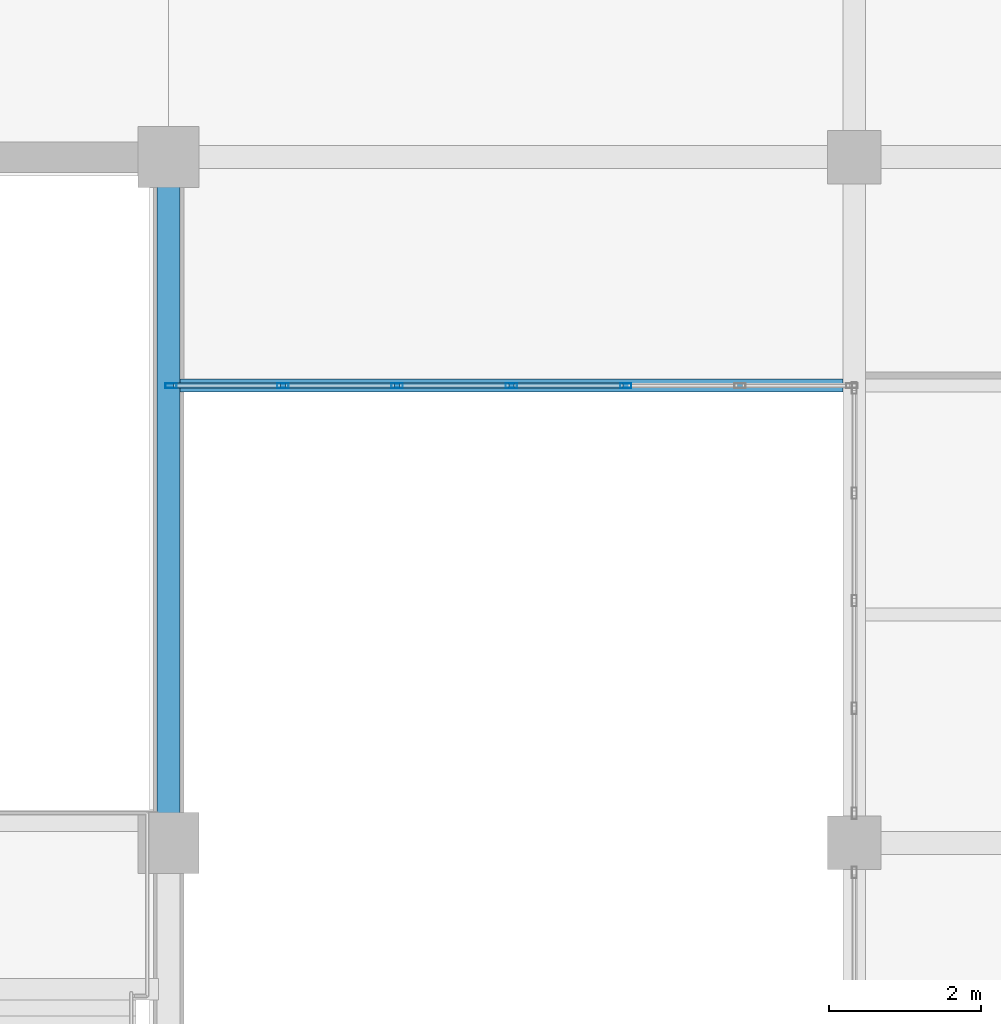
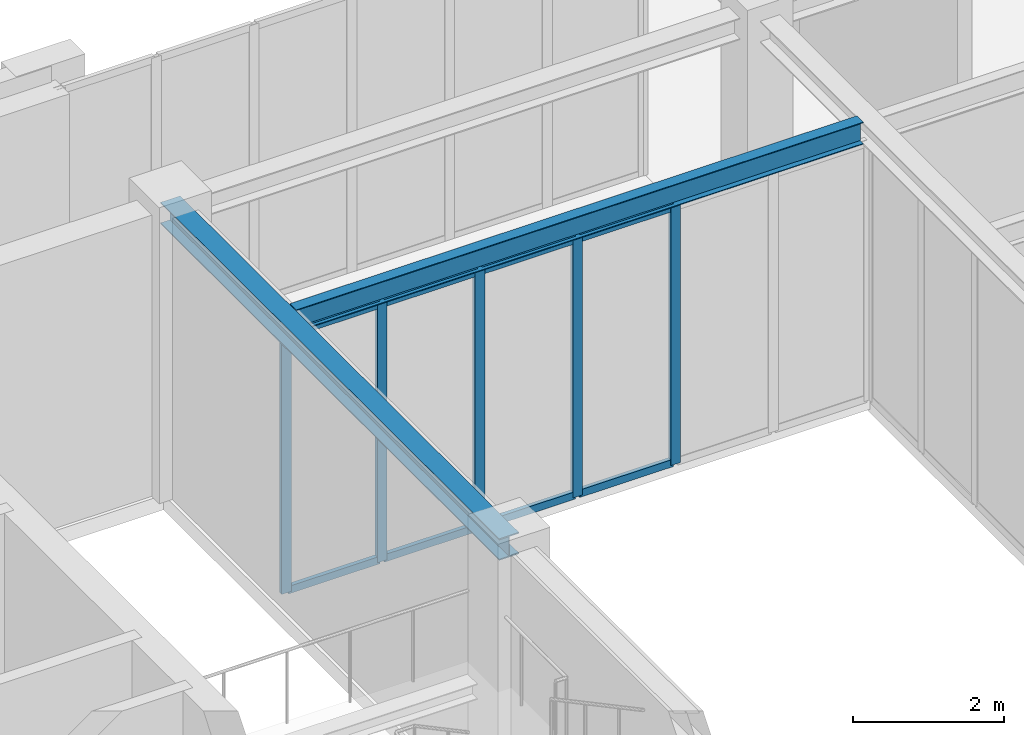
# One storey, part 29 of 92: 13 members, 2 beams, 1 element without a shape of its own.
"""IFC4 building model written with IfcOpenShell, lengths in metres."""

from ifc_helpers import new_model, si_unit, direction, frame, origin, origin_2d, place, context, subcontext, project, spatial, hollow_rectangle, i_section, extrude, material, material_profile, profile_set, type_object, element, aggregate, save


model = new_model("IFC4")

# Units and contexts
model_context = context("Model", 3, precision=1e-05, world=origin(), true_north=direction((0.0, 1.0)))
body_context = subcontext(model_context, "Body", "Model", "MODEL_VIEW")
ifc_project = project(units=[si_unit("LENGTHUNIT", "METRE"), si_unit("AREAUNIT", "SQUARE_METRE"), si_unit("VOLUMEUNIT", "CUBIC_METRE"), si_unit("PLANEANGLEUNIT", "RADIAN"), si_unit("MASSUNIT", "GRAM", prefix="KILO")], contexts=[model_context])

# Site, building, storey
site_placement = place(None, origin())
site = spatial("IfcSite", under=ifc_project, at=site_placement, CompositionType="ELEMENT")
building_placement = place(site_placement, origin())
building = spatial("IfcBuilding", under=site, at=building_placement, Name="Lykobir Media Centre", CompositionType="ELEMENT")
storey_placement = place(building_placement, frame((0.0, 0.0, 5.39990234375)))
storey = spatial("IfcBuildingStorey", under=building, at=storey_placement, Name="L01", CompositionType="ELEMENT", Elevation=5.39990234375)

# Curtain wall, members
ifc_material_1 = material(Name="Anodized Aluminium AW-6060", Category="aluminium")
curtain_wall_type = type_object("IfcCurtainWallType", Name="CW-BRIDGE", PredefinedType="NOTDEFINED", material=ifc_material_1)
curtain_wall_placement = place(storey_placement, origin())
curtain_wall = element("IfcCurtainWall", 1, at=curtain_wall_placement, inside=storey, type_object=curtain_wall_type, Name="Curtain wall CW2-L01-0025", PredefinedType="NOTDEFINED")
ifc_material_profile_1 = material_profile(ifc_material_1, hollow_rectangle(XDim=0.06494140625, YDim=0.14990234375, WallThickness=0.00341796875, at=origin_2d()), Name="ALU MULLION 65x150")
ifc_profile_set_1 = profile_set([ifc_material_profile_1], Name="Anodized Aluminium AW-6060")
member_type_1 = type_object("IfcMemberType", Name="CWM-150", PredefinedType="MULLION", material=ifc_profile_set_1)
member_1_placement = place(storey_placement, frame((87.0, 15.0, 0.0), z_axis=(0.0, 0.0, 1.0), x_axis=(0.0, -1.0, 0.0)))
member_1 = element("IfcMember", 2, at=member_1_placement, type_object=member_type_1, Name="CW2-L01-0025 mullion 3", PredefinedType="MULLION", context=body_context, shape_type="SweptSolid", body=[
    extrude(hollow_rectangle(XDim=0.06494140625, YDim=0.14990234375, WallThickness=0.00341796875, at=origin_2d()), origin(), (0.0, 0.0, 1.0), 4.205078125),
])
member_2_placement = place(storey_placement, frame((85.5, 15.0, 0.0), z_axis=(0.0, 0.0, 1.0), x_axis=(0.0, -1.0, 0.0)))
member_2 = element("IfcMember", 3, at=member_2_placement, type_object=member_type_1, Name="CW2-L01-0025 mullion 4", PredefinedType="MULLION", context=body_context, shape_type="SweptSolid", body=[
    extrude(hollow_rectangle(XDim=0.06494140625, YDim=0.14990234375, WallThickness=0.00341796875, at=origin_2d()), origin(), (0.0, 0.0, 1.0), 4.205078125),
])
member_3_placement = place(storey_placement, frame((84.0, 15.0, 0.0), z_axis=(0.0, 0.0, 1.0), x_axis=(0.0, -1.0, 0.0)))
member_3 = element("IfcMember", 4, at=member_3_placement, type_object=member_type_1, Name="CW2-L01-0025 mullion 5", PredefinedType="MULLION", context=body_context, shape_type="SweptSolid", body=[
    extrude(hollow_rectangle(XDim=0.06494140625, YDim=0.14990234375, WallThickness=0.00341796875, at=origin_2d()), origin(), (0.0, 0.0, 1.0), 4.205078125),
])
member_4_placement = place(storey_placement, frame((82.5, 15.0, 0.0), z_axis=(0.0, 0.0, 1.0), x_axis=(0.0, -1.0, 0.0)))
member_4 = element("IfcMember", 5, at=member_4_placement, type_object=member_type_1, Name="CW2-L01-0025 mullion 6", PredefinedType="MULLION", context=body_context, shape_type="SweptSolid", body=[
    extrude(hollow_rectangle(XDim=0.06494140625, YDim=0.14990234375, WallThickness=0.00341796875, at=origin_2d()), origin(), (0.0, 0.0, 1.0), 4.205078125),
])
member_5_placement = place(storey_placement, frame((81.032470703125, 15.0, 0.0), z_axis=(0.0, 0.0, 1.0), x_axis=(0.0, -1.0, 0.0)))
member_5 = element("IfcMember", 6, at=member_5_placement, type_object=member_type_1, Name="CW2-L01-0025 mullion 7", PredefinedType="MULLION", context=body_context, shape_type="SweptSolid", body=[
    extrude(hollow_rectangle(XDim=0.06494140625, YDim=0.14990234375, WallThickness=0.00341796875, at=origin_2d()), origin(), (0.0, 0.0, 1.0), 4.205078125),
])
ifc_material_profile_2 = material_profile(ifc_material_1, hollow_rectangle(XDim=0.06494140625, YDim=0.1201171875, WallThickness=0.0029296875, at=origin_2d()), Name="ALU TRANSOM 65x120")
ifc_profile_set_2 = profile_set([ifc_material_profile_2], Name="Anodized Aluminium AW-6060")
member_type_2 = type_object("IfcMemberType", Name="CWT-120", PredefinedType="USERDEFINED", material=ifc_profile_set_2)
member_6_placement = place(storey_placement, frame((86.967529296875, 15.0, 0.03271484375), z_axis=(-1.0, 0.0, 0.0), x_axis=(0.0, -1.0, 0.0)))
member_6 = element("IfcMember", 7, at=member_6_placement, type_object=member_type_2, Name="CW2-L01-0025 transom 3.1", ObjectType="TRANSOM", PredefinedType="USERDEFINED", context=body_context, shape_type="SweptSolid", body=[
    extrude(hollow_rectangle(XDim=0.06494140625, YDim=0.1201171875, WallThickness=0.0029296875, at=origin_2d()), origin(), (0.0, 0.0, 1.0), 1.43505859375),
])
member_7_placement = place(storey_placement, frame((86.967529296875, 15.0, 4.172607421875), z_axis=(-1.0, 0.0, 0.0), x_axis=(0.0, -1.0, 0.0)))
member_7 = element("IfcMember", 8, at=member_7_placement, type_object=member_type_2, Name="CW2-L01-0025 transom 3.2", ObjectType="TRANSOM", PredefinedType="USERDEFINED", context=body_context, shape_type="SweptSolid", body=[
    extrude(hollow_rectangle(XDim=0.06494140625, YDim=0.1201171875, WallThickness=0.0029296875, at=origin_2d()), origin(), (0.0, 0.0, 1.0), 1.43505859375),
])
member_8_placement = place(storey_placement, frame((85.467529296875, 15.0, 0.03271484375), z_axis=(-1.0, 0.0, 0.0), x_axis=(0.0, -1.0, 0.0)))
member_8 = element("IfcMember", 9, at=member_8_placement, type_object=member_type_2, Name="CW2-L01-0025 transom 4.1", ObjectType="TRANSOM", PredefinedType="USERDEFINED", context=body_context, shape_type="SweptSolid", body=[
    extrude(hollow_rectangle(XDim=0.06494140625, YDim=0.1201171875, WallThickness=0.0029296875, at=origin_2d()), origin(), (0.0, 0.0, 1.0), 1.43505859375),
])
member_9_placement = place(storey_placement, frame((85.467529296875, 15.0, 4.172607421875), z_axis=(-1.0, 0.0, 0.0), x_axis=(0.0, -1.0, 0.0)))
member_9 = element("IfcMember", 10, at=member_9_placement, type_object=member_type_2, Name="CW2-L01-0025 transom 4.2", ObjectType="TRANSOM", PredefinedType="USERDEFINED", context=body_context, shape_type="SweptSolid", body=[
    extrude(hollow_rectangle(XDim=0.06494140625, YDim=0.1201171875, WallThickness=0.0029296875, at=origin_2d()), origin(), (0.0, 0.0, 1.0), 1.43505859375),
])
member_10_placement = place(storey_placement, frame((83.967529296875, 15.0, 0.03271484375), z_axis=(-1.0, 0.0, 0.0), x_axis=(0.0, -1.0, 0.0)))
member_10 = element("IfcMember", 11, at=member_10_placement, type_object=member_type_2, Name="CW2-L01-0025 transom 5.1", ObjectType="TRANSOM", PredefinedType="USERDEFINED", context=body_context, shape_type="SweptSolid", body=[
    extrude(hollow_rectangle(XDim=0.06494140625, YDim=0.1201171875, WallThickness=0.0029296875, at=origin_2d()), origin(), (0.0, 0.0, 1.0), 1.43505859375),
])
member_11_placement = place(storey_placement, frame((83.967529296875, 15.0, 4.172607421875), z_axis=(-1.0, 0.0, 0.0), x_axis=(0.0, -1.0, 0.0)))
member_11 = element("IfcMember", 12, at=member_11_placement, type_object=member_type_2, Name="CW2-L01-0025 transom 5.2", ObjectType="TRANSOM", PredefinedType="USERDEFINED", context=body_context, shape_type="SweptSolid", body=[
    extrude(hollow_rectangle(XDim=0.06494140625, YDim=0.1201171875, WallThickness=0.0029296875, at=origin_2d()), origin(), (0.0, 0.0, 1.0), 1.43505859375),
])
member_12_placement = place(storey_placement, frame((82.467529296875, 15.0, 0.03271484375), z_axis=(-1.0, 0.0, 0.0), x_axis=(0.0, -1.0, 0.0)))
member_12 = element("IfcMember", 13, at=member_12_placement, type_object=member_type_2, Name="CW2-L01-0025 transom 6.1", ObjectType="TRANSOM", PredefinedType="USERDEFINED", context=body_context, shape_type="SweptSolid", body=[
    extrude(hollow_rectangle(XDim=0.06494140625, YDim=0.1201171875, WallThickness=0.0029296875, at=origin_2d()), origin(), (0.0, 0.0, 1.0), 1.402587890625),
])
member_13_placement = place(storey_placement, frame((82.467529296875, 15.0, 4.172607421875), z_axis=(-1.0, 0.0, 0.0), x_axis=(0.0, -1.0, 0.0)))
member_13 = element("IfcMember", 14, at=member_13_placement, type_object=member_type_2, Name="CW2-L01-0025 transom 6.2", ObjectType="TRANSOM", PredefinedType="USERDEFINED", context=body_context, shape_type="SweptSolid", body=[
    extrude(hollow_rectangle(XDim=0.06494140625, YDim=0.1201171875, WallThickness=0.0029296875, at=origin_2d()), origin(), (0.0, 0.0, 1.0), 1.402587890625),
])
aggregate(curtain_wall, [member_1, member_2, member_3, member_4, member_5, member_6, member_7, member_8, member_9, member_10, member_11, member_12, member_13])

# Beams
ifc_material_2 = material(Name="Steel S355", Category="steel")
ifc_material_profile_3 = material_profile(ifc_material_2, i_section(OverallWidth=0.169921875, OverallDepth=0.360107421875, WebThickness=0.008056640625, FlangeThickness=0.0126953125, at=origin_2d()), Name="IPE 360")
ifc_profile_set_3 = profile_set([ifc_material_profile_3], Name="Steel S355")
beam_type_1 = type_object("IfcBeamType", Name="JS-IPE360", PredefinedType="JOIST", material=ifc_profile_set_3)
beam_1_placement = place(storey_placement, frame((81.14990234375, 15.0, 4.400146484375), z_axis=(1.0, 0.0, 0.0), x_axis=(0.0, 1.0, 0.0)))
element("IfcBeam", 15, at=beam_1_placement, inside=storey, type_object=beam_type_1, Name="Beam BM-L01-0812-0150-0898-0150-980", PredefinedType="JOIST", context=body_context, shape_type="SweptSolid", body=[
    extrude(i_section(OverallWidth=0.169921875, OverallDepth=0.360107421875, WebThickness=0.008056640625, FlangeThickness=0.0126953125, at=origin_2d()), origin(), (0.0, 0.0, 1.0), 8.7001953125),
])
ifc_material_profile_4 = material_profile(ifc_material_2, i_section(OverallWidth=0.300048828125, OverallDepth=0.35009765625, WebThickness=0.010009765625, FlangeThickness=0.017578125, at=origin_2d()), Name="HEA 360")
ifc_profile_set_4 = profile_set([ifc_material_profile_4], Name="Steel S355")
beam_type_2 = type_object("IfcBeamType", Name="SP-HEA360-E", PredefinedType="SPANDREL", material=ifc_profile_set_4)
beam_2_placement = place(storey_placement, frame((81.0, 9.0, 4.385009765625), z_axis=(0.0, 1.0, 0.0), x_axis=(-1.0, 0.0, 0.0)))
element("IfcBeam", 16, at=beam_2_placement, inside=storey, type_object=beam_type_2, Name="Beam BM-L01-0810-0090-0810-0180-978", PredefinedType="SPANDREL", context=body_context, shape_type="SweptSolid", body=[
    extrude(i_section(OverallWidth=0.300048828125, OverallDepth=0.35009765625, WebThickness=0.010009765625, FlangeThickness=0.017578125, at=origin_2d()), origin(), (0.0, 0.0, 1.0), 9.0),
])

save(model, "model.ifc")
